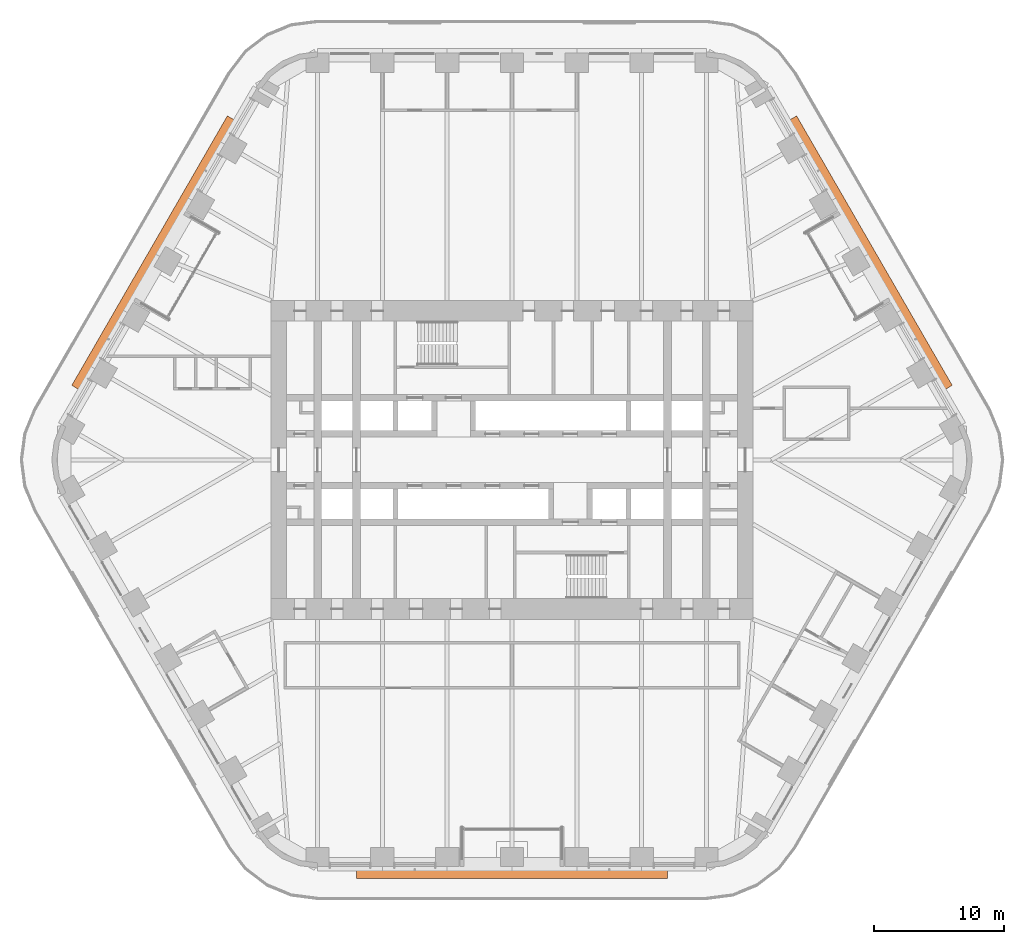
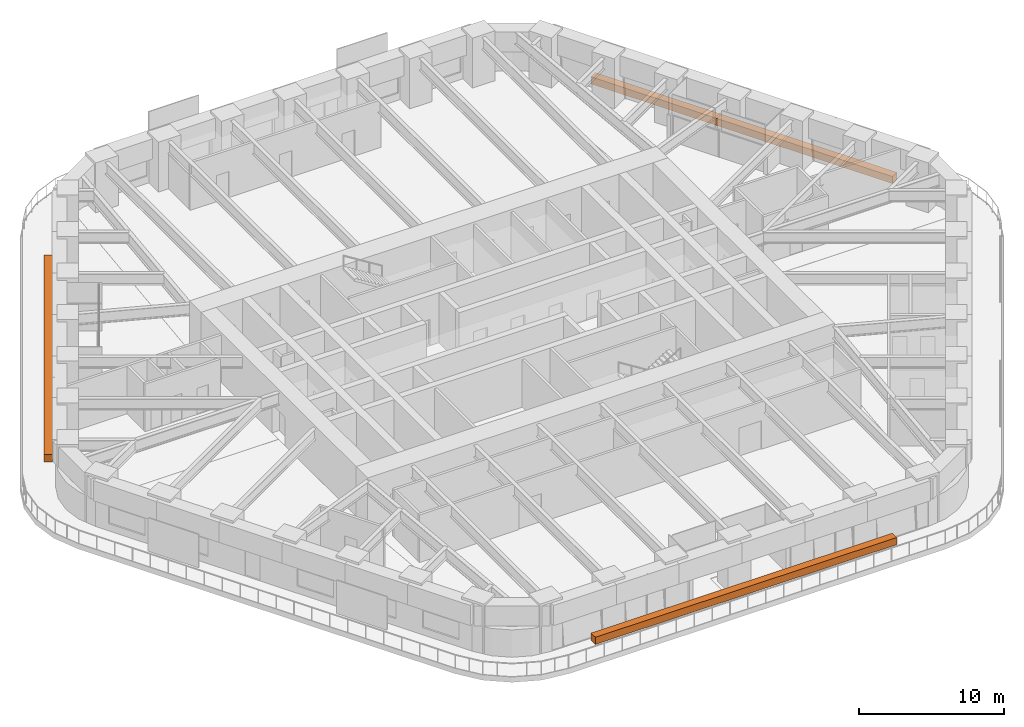
# One storey, part 24 of 24: 3 proxies.
"""IFC4 building model written with IfcOpenShell, lengths in metres."""

from ifc_helpers import new_model, si_unit, direction, frame, origin, origin_2d, place, context, subcontext, project, spatial, rectangle, extrude, material, element, save


model = new_model("IFC4")

# Units and contexts
model_context = context("Model", 3, precision=1e-05, world=origin(), true_north=direction((0.0, 1.0)))
body_context = subcontext(model_context, "Body", "Model", "MODEL_VIEW")
ifc_project = project(units=[si_unit("LENGTHUNIT", "METRE"), si_unit("AREAUNIT", "SQUARE_METRE"), si_unit("VOLUMEUNIT", "CUBIC_METRE"), si_unit("PLANEANGLEUNIT", "RADIAN"), si_unit("MASSUNIT", "GRAM", prefix="KILO")], contexts=[model_context])

# Site, building, storey
site_placement = place(None, origin())
site = spatial("IfcSite", under=ifc_project, at=site_placement, CompositionType="ELEMENT")
building_placement = place(site_placement, origin())
building = spatial("IfcBuilding", under=site, at=building_placement, Name="Tarfa Lantern Tower", CompositionType="ELEMENT")
storey_placement = place(building_placement, frame((0.0, 0.0, 127.89990234375)))
storey = spatial("IfcBuildingStorey", under=building, at=storey_placement, Name="L28", CompositionType="ELEMENT", Elevation=127.89990234375)

# Proxies
ifc_material = material(Name="Planting bed")
for number, where, z_axis, x_axis, name in (
    (1, (27.712890625, 16.0, 0.0), (0.0, 0.0, 1.0), (-0.5, 0.866025403784, 0.0), "Balcony planter"),
    (2, (-27.712890625, 16.0, 0.0), (0.0, 0.0, 1.0), (-0.5, -0.866025403784, 0.0), "Balcony planter"),
    (3, (0.0, -32.0, 0.0), (0.0, 0.0, 1.0), (1.0, 0.0, 0.0), "Balcony planter"),
):
    element("IfcBuildingElementProxy", number, at=place(storey_placement, frame(where, z_axis=z_axis, x_axis=x_axis)), inside=storey, material=ifc_material, Name=name, ObjectType="PLANTER", PredefinedType="USERDEFINED", context=body_context, shape_type="SweptSolid", body=[
        extrude(rectangle(XDim=24.017822265625, YDim=0.60009765625, at=origin_2d()), origin(), (0.0, 0.0, 1.0), 0.60009765625),
    ])

save(model, "model.ifc")
